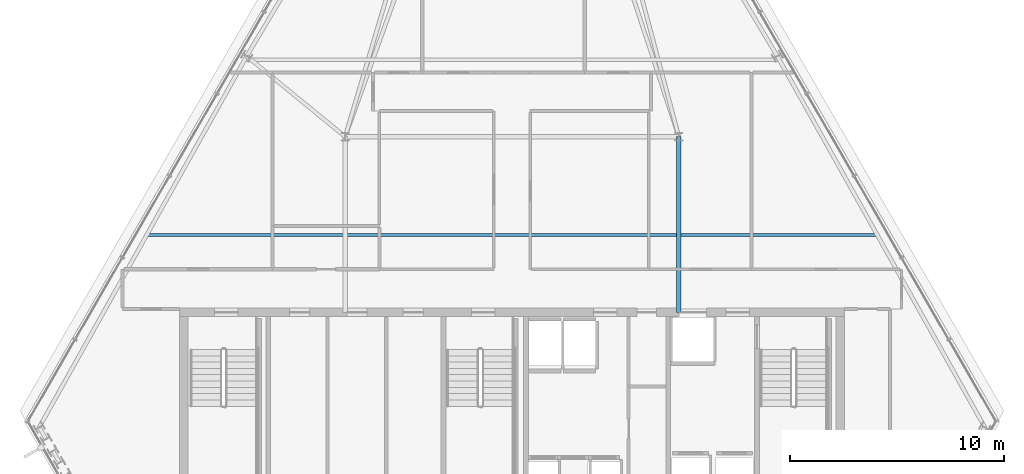
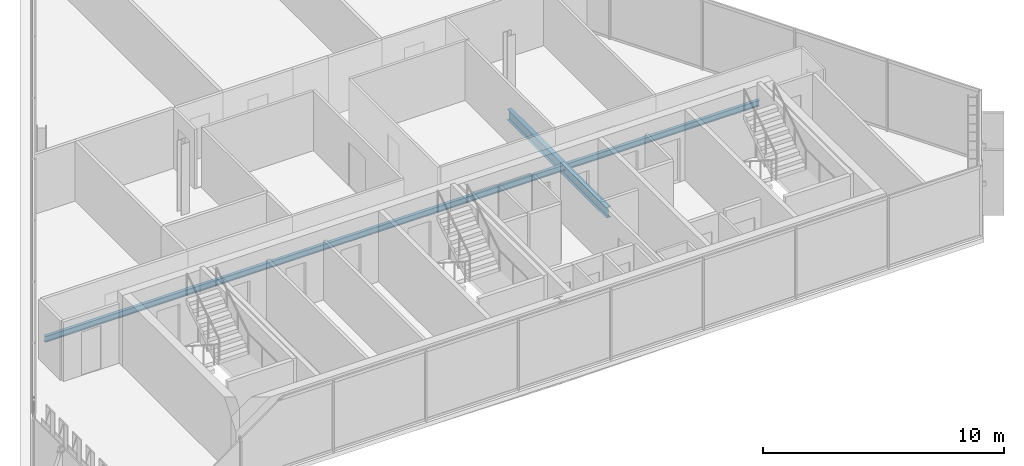
# One storey, part 11 of 34: 2 beams.
"""IFC4 building model written with IfcOpenShell, lengths in metres."""

from ifc_helpers import new_model, si_unit, direction, frame, origin, origin_2d, place, context, subcontext, project, spatial, i_section, extrude, material, material_profile, profile_set, type_object, element, save


model = new_model("IFC4")

# Units and contexts
model_context = context("Model", 3, precision=1e-05, world=origin(), true_north=direction((0.0, 1.0)))
body_context = subcontext(model_context, "Body", "Model", "MODEL_VIEW")
ifc_project = project(units=[si_unit("LENGTHUNIT", "METRE"), si_unit("AREAUNIT", "SQUARE_METRE"), si_unit("VOLUMEUNIT", "CUBIC_METRE"), si_unit("PLANEANGLEUNIT", "RADIAN"), si_unit("MASSUNIT", "GRAM", prefix="KILO")], contexts=[model_context])

# Site, building, storey
site_placement = place(None, origin())
site = spatial("IfcSite", under=ifc_project, at=site_placement, CompositionType="ELEMENT")
building_placement = place(site_placement, origin())
building = spatial("IfcBuilding", under=site, at=building_placement, Name="Ndaravel Arena Tower", CompositionType="ELEMENT")
storey_placement = place(building_placement, frame((0.0, 0.0, 263.60009765625)))
storey = spatial("IfcBuildingStorey", under=building, at=storey_placement, Name="L64", CompositionType="ELEMENT", Elevation=263.60009765625)

# Beams
ifc_material_1 = material(Name="Steel S355", Category="steel")
ifc_material_profile_1 = material_profile(ifc_material_1, i_section(OverallWidth=0.210693359375, OverallDepth=0.53955078125, WebThickness=0.01171875, FlangeThickness=0.018798828125, FilletRadius=0.0126953125, at=origin_2d()), Name="UB 533x210x109")
ifc_profile_set_1 = profile_set([ifc_material_profile_1], Name="Steel S355")
beam_type_1 = type_object("IfcBeamType", Name="BM-GIRD-UB533", PredefinedType="BEAM", material=ifc_profile_set_1)
beam_1_placement = place(storey_placement, frame((49.800048828125, 14.97998046875, -0.48974609375), z_axis=(0.0, 1.0, 0.0), x_axis=(-1.0, 0.0, 0.0)))
element("IfcBeam", 1, at=beam_1_placement, inside=storey, type_object=beam_type_1, Name="L64 Spine Link Girder SLG-02", PredefinedType="BEAM", context=body_context, shape_type="SweptSolid", body=[
    extrude(i_section(OverallWidth=0.210693359375, OverallDepth=0.53955078125, WebThickness=0.01171875, FlangeThickness=0.018798828125, FilletRadius=0.0126953125, at=origin_2d()), origin(), (0.0, 0.0, 1.0), 8.219970703125),
])
ifc_material_2 = material(Name="Steel S355", Category="steel")
ifc_material_profile_2 = material_profile(ifc_material_2, i_section(OverallWidth=0.14990234375, OverallDepth=0.300048828125, WebThickness=0.007080078125, FlangeThickness=0.0107421875, FilletRadius=0.014892578125, at=origin_2d()), Name="IPE 300")
ifc_profile_set_2 = profile_set([ifc_material_profile_2], Name="Steel S355")
beam_type_2 = type_object("IfcBeamType", Name="BM-JOIST-IPE300", PredefinedType="JOIST", material=ifc_profile_set_2)
beam_2_placement = place(storey_placement, frame((24.921142578125, 18.60009765625, -0.3701171875), z_axis=(1.0, 0.0, 0.0), x_axis=(0.0, 1.0, 0.0)))
element("IfcBeam", 2, at=beam_2_placement, inside=storey, type_object=beam_type_2, Name="L64 Composite Floor Joist FJ-01", PredefinedType="JOIST", context=body_context, shape_type="SweptSolid", body=[
    extrude(i_section(OverallWidth=0.14990234375, OverallDepth=0.300048828125, WebThickness=0.007080078125, FlangeThickness=0.0107421875, FilletRadius=0.014892578125, at=origin_2d()), origin(), (0.0, 0.0, 1.0), 34.15771484375),
])

save(model, "model.ifc")
